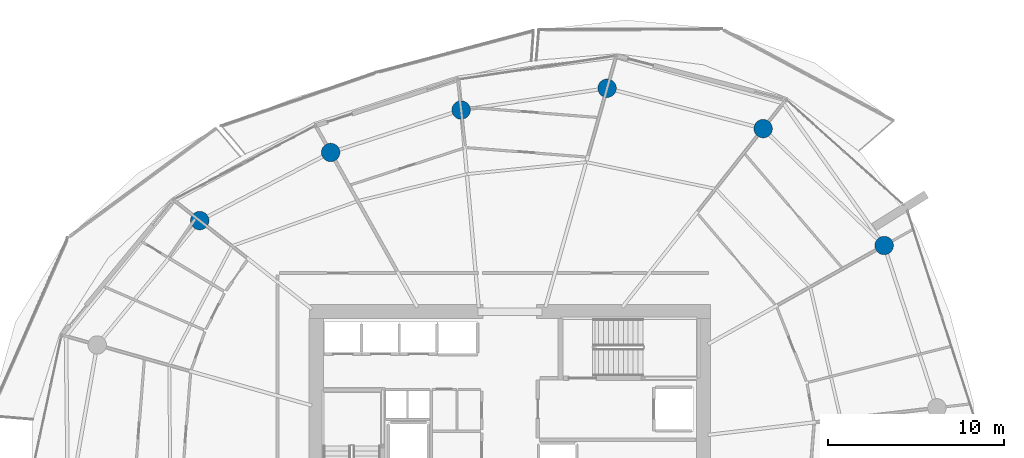
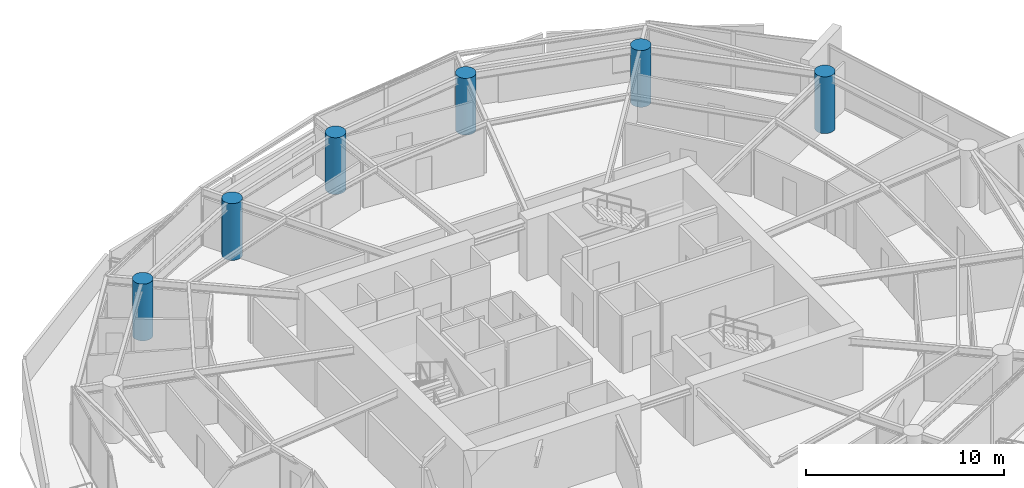
# One storey, part 4 of 20: 6 columns.
"""IFC4 building model written with IfcOpenShell, lengths in metres."""

import ifcopenshell
import ifcopenshell.guid

model = None  # the IFC model being written
_history = None  # IfcOwnerHistory: only IFC2X3 demands one
_inside = {}  # id of a spatial element -> (the spatial element, [elements in it])
_under = {}  # id of a project, library or spatial element -> (it, [spatial elements below it])
_declared = {}  # id of a project -> (the project, [libraries it declares])
_typed = {}  # id of a type object -> (the type object, [elements of that type])
_made_of = {}  # id of a material, layer set ... -> (it, [elements and type objects made of it])


def new_model(schema):
    """Start an empty IFC model of exactly this schema.

    Asked for "IFC4X3", IfcOpenShell would pick the latest addendum, in which some entities
    have other attributes; the version numbers below select the first issue.
    IFC2X3 requires an IfcOwnerHistory on every rooted entity: one is made here for all.
    """
    global model, _history
    if schema == "IFC4X3":
        model = ifcopenshell.file(schema_version=(4, 3, 0, 0))
    else:
        model = ifcopenshell.file(schema=schema)
    _inside.clear()
    _under.clear()
    _declared.clear()
    _typed.clear()
    _made_of.clear()
    _history = None
    if model.schema == "IFC2X3":
        org = make("IfcOrganization", Name="unknown")
        user = make(
            "IfcPersonAndOrganization",
            ThePerson=make("IfcPerson", FamilyName="unknown"),
            TheOrganization=org,
        )
        app = make(
            "IfcApplication",
            ApplicationDeveloper=org,
            Version="unknown",
            ApplicationFullName="unknown",
            ApplicationIdentifier="unknown",
        )
        _history = make(
            "IfcOwnerHistory",
            OwningUser=user,
            OwningApplication=app,
            ChangeAction="ADDED",
            CreationDate=0,
        )
    return model


def make(cls, **values):
    """One entity of the class cls with the attributes given. An attribute that is None is left unset."""
    return model.create_entity(
        cls, **{name: value for name, value in values.items() if value is not None}
    )


def rooted(cls, **values):
    """An entity with a GlobalId (a new one), such as an element, a storey or a relation."""
    return make(cls, GlobalId=ifcopenshell.guid.new(), OwnerHistory=_history, **values)


def si_unit(unit_type, name, prefix=None):
    """IfcSIUnit, for example si_unit("LENGTHUNIT", "METRE", prefix="MILLI")."""
    return make("IfcSIUnit", UnitType=unit_type, Prefix=prefix, Name=name)


def assignment(units):
    """IfcUnitAssignment: the units of a project."""
    return None if units is None else make("IfcUnitAssignment", Units=units)


def point(xyz):
    """IfcCartesianPoint."""
    return None if xyz is None else make("IfcCartesianPoint", Coordinates=xyz)


def direction(xyz):
    """IfcDirection."""
    return None if xyz is None else make("IfcDirection", DirectionRatios=xyz)


def frame(location, z_axis=None, x_axis=None):
    """IfcAxis2Placement3D, a coordinate frame: its origin and axes. An axis left out is left unset."""
    return make(
        "IfcAxis2Placement3D",
        Location=point(location),
        Axis=direction(z_axis),
        RefDirection=direction(x_axis),
    )


def frame_2d(location, x_axis=None):
    """IfcAxis2Placement2D, a coordinate frame in the plane: its origin and x axis."""
    return make(
        "IfcAxis2Placement2D", Location=point(location), RefDirection=direction(x_axis)
    )


def origin():
    """The frame at (0, 0, 0) with its axes left unset."""
    return frame((0.0, 0.0, 0.0))


def origin_2d():
    """The frame at (0, 0) in the plane with its x axis left unset."""
    return frame_2d((0.0, 0.0))


def place(relative_to, where):
    """IfcLocalPlacement: puts the frame where relative to a parent placement (None: the world)."""
    return make(
        "IfcLocalPlacement", PlacementRelTo=relative_to, RelativePlacement=where
    )


def context(
    kind, dimensions, precision=None, world=None, true_north=None, identifier=None
):
    """IfcGeometricRepresentationContext, for example the 3D "Model" context."""
    return make(
        "IfcGeometricRepresentationContext",
        ContextIdentifier=identifier,
        ContextType=kind,
        CoordinateSpaceDimension=dimensions,
        Precision=precision,
        WorldCoordinateSystem=world,
        TrueNorth=true_north,
    )


def subcontext(parent, identifier, kind, view, scale=None):
    """IfcGeometricRepresentationSubContext, for example "Body" below "Model"."""
    return make(
        "IfcGeometricRepresentationSubContext",
        ContextIdentifier=identifier,
        ContextType=kind,
        ParentContext=parent,
        TargetScale=scale,
        TargetView=view,
    )


def project(units=None, contexts=None):
    """IfcProject with its units and contexts."""
    return rooted(
        "IfcProject",
        Name="project",
        RepresentationContexts=contexts,
        UnitsInContext=assignment(units),
    )


def spatial(cls, under=None, at=None, **own):
    """A site, building, storey or space (cls), placed at a placement, below another one or the project."""
    s = rooted(cls, ObjectPlacement=at, **own)
    if under is not None:
        _under.setdefault(under.id(), (under, []))[1].append(s)
    return s


def profile(cls, at=None, kind="AREA", **sizes):
    """A parametric profile (cls). Its sizes go by their IFC names, for example OverallWidth=200.0."""
    return make(cls, ProfileType=kind, Position=at, **sizes)


def circle(**sizes):
    """IfcCircleProfileDef."""
    return profile("IfcCircleProfileDef", **sizes)


def extrude(swept, where, along, depth):
    """IfcExtrudedAreaSolid: the profile swept, set in the frame where, extruded along a direction by depth."""
    return make(
        "IfcExtrudedAreaSolid",
        SweptArea=swept,
        Position=where,
        ExtrudedDirection=direction(along),
        Depth=depth,
    )


def shape(context_of_items, identifier, shape_type, items):
    """IfcShapeRepresentation: the items that make up one representation, for example the "Body"."""
    return make(
        "IfcShapeRepresentation",
        ContextOfItems=context_of_items,
        RepresentationIdentifier=identifier,
        RepresentationType=shape_type,
        Items=items,
    )


def material(Name=None, Category=None):
    """IfcMaterial."""
    return make("IfcMaterial", Name=Name, Category=Category)


def material_profile(
    of_material, cross_section, Name=None, Category=None, Priority=None
):
    """IfcMaterialProfile: a cross section and its material."""
    return make(
        "IfcMaterialProfile",
        Name=Name,
        Material=of_material,
        Profile=cross_section,
        Priority=Priority,
        Category=Category,
    )


def profile_set(profiles, Name=None, composite=None):
    """IfcMaterialProfileSet."""
    return make(
        "IfcMaterialProfileSet",
        Name=Name,
        MaterialProfiles=profiles,
        CompositeProfile=composite,
    )


def made_of(thing, what):
    """Note that an element or type object is made of a material, layer set ...; save() writes the relation."""
    if what is not None:
        _made_of.setdefault(what.id(), (what, []))[1].append(thing)
    return thing


def type_object(cls, material=None, **own):
    """A type object (cls), such as IfcWallType, which elements share."""
    return made_of(rooted(cls, **own), material)


def element(
    cls,
    number,
    at=None,
    inside=None,
    cuts=None,
    type_object=None,
    material=None,
    context=None,
    identifier="Body",
    shape_type=None,
    held_by="IfcProductDefinitionShape",
    body=None,
    shapes=None,
    **own,
):
    """One element of the class cls, such as IfcWall. Its Tag is "e" and its number.

    at: its placement. inside: the storey or other place that contains it. cuts: it is an
    opening in that element (IfcRelVoidsElement). A single representation is given by context,
    identifier, shape_type and body (its items); several are given by shapes. held_by: the class
    of the entity that holds the representations. save() writes the other relations.
    """
    e = rooted(cls, Tag="e%d" % number, ObjectPlacement=at, **own)
    if body is not None:
        shapes = [shape(context, identifier, shape_type, body)]
    if shapes is not None:
        e.Representation = make(held_by, Representations=shapes)
    if inside is not None:
        _inside.setdefault(inside.id(), (inside, []))[1].append(e)
    if cuts is not None:
        rooted(
            "IfcRelVoidsElement", RelatingBuildingElement=cuts, RelatedOpeningElement=e
        )
    if type_object is not None:
        _typed.setdefault(type_object.id(), (type_object, []))[1].append(e)
    return made_of(e, material)


def aggregate(whole, parts):
    """IfcRelAggregates: a whole, such as a stair, and the parts it consists of."""
    return rooted("IfcRelAggregates", RelatingObject=whole, RelatedObjects=parts)


def save(model, path):
    """Write the relations noted so far, then the file.

    IfcRelAggregates (storeys below a building ...), IfcRelContainedInSpatialStructure (elements
    in a storey), IfcRelDefinesByType, IfcRelAssociatesMaterial and IfcRelDeclares: one each for
    every whole, place, type object, material and project.
    """
    for whole, parts in _under.values():
        aggregate(whole, parts)
    for where, things in _inside.values():
        rooted(
            "IfcRelContainedInSpatialStructure",
            RelatedElements=things,
            RelatingStructure=where,
        )
    for kind, things in _typed.values():
        rooted("IfcRelDefinesByType", RelatedObjects=things, RelatingType=kind)
    for what, things in _made_of.values():
        rooted("IfcRelAssociatesMaterial", RelatedObjects=things, RelatingMaterial=what)
    for by, libraries in _declared.values():
        rooted("IfcRelDeclares", RelatingContext=by, RelatedDefinitions=libraries)
    model.write(path)


model = new_model("IFC4")

# Units and contexts
model_context = context("Model", 3, precision=1e-05, world=origin(), true_north=direction((0.0, 1.0)))
body_context = subcontext(model_context, "Body", "Model", "MODEL_VIEW")
ifc_project = project(units=[si_unit("LENGTHUNIT", "METRE"), si_unit("AREAUNIT", "SQUARE_METRE"), si_unit("VOLUMEUNIT", "CUBIC_METRE"), si_unit("PLANEANGLEUNIT", "RADIAN"), si_unit("MASSUNIT", "GRAM", prefix="KILO")], contexts=[model_context])

# Site, building, storey
site_placement = place(None, origin())
site = spatial("IfcSite", under=ifc_project, at=site_placement, CompositionType="ELEMENT")
building_placement = place(site_placement, origin())
building = spatial("IfcBuilding", under=site, at=building_placement, Name="Kazma Halo Residences", CompositionType="ELEMENT")
storey_placement = place(building_placement, frame((0.0, 0.0, 169.050048828125)))
storey = spatial("IfcBuildingStorey", under=building, at=storey_placement, Name="L42", CompositionType="ELEMENT", Elevation=169.050048828125)

# Columns
ifc_material = material(Name="Concrete C80/95", Category="concrete")
ifc_material_profile = material_profile(ifc_material, circle(Radius=0.52490234375, at=origin_2d()), Name="CIRC1050")
ifc_profile_set = profile_set([ifc_material_profile], Name="Concrete C80/95")
column_type = type_object("IfcColumnType", Name="COL-PERIM-1050", PredefinedType="COLUMN", material=ifc_profile_set)
for number, where, z_axis, x_axis, name in (
    (1, (69.730224609375, 54.16943359375, 0.0), (0.0, 0.0, 1.0), (1.0, 0.0, 0.0), "L42 perimeter ring column P01"),
    (2, (62.839599609375, 60.82373046875, 0.0), (0.0, 0.0, 1.0), (1.0, 0.0, 0.0), "L42 perimeter ring column P02"),
    (3, (53.95703125, 63.121826171875, 0.0), (0.0, 0.0, 1.0), (1.0, 0.0, 0.0), "L42 perimeter ring column P03"),
    (4, (45.64697265625, 61.881103515625, 0.0), (0.0, 0.0, 1.0), (1.0, 0.0, 0.0), "L42 perimeter ring column P04"),
    (5, (38.218017578125, 59.46728515625, 0.0), (0.0, 0.0, 1.0), (1.0, 0.0, 0.0), "L42 perimeter ring column P05"),
    (6, (30.765625, 55.58642578125, 0.0), (0.0, 0.0, 1.0), (1.0, 0.0, 0.0), "L42 perimeter ring column P06"),
):
    element("IfcColumn", number, at=place(storey_placement, frame(where, z_axis=z_axis, x_axis=x_axis)), inside=storey, type_object=column_type, Name=name, PredefinedType="COLUMN", context=body_context, shape_type="SweptSolid", body=[
        extrude(circle(Radius=0.52490234375, at=origin_2d()), origin(), (0.0, 0.0, 1.0), 3.5),
    ])

save(model, "model.ifc")
